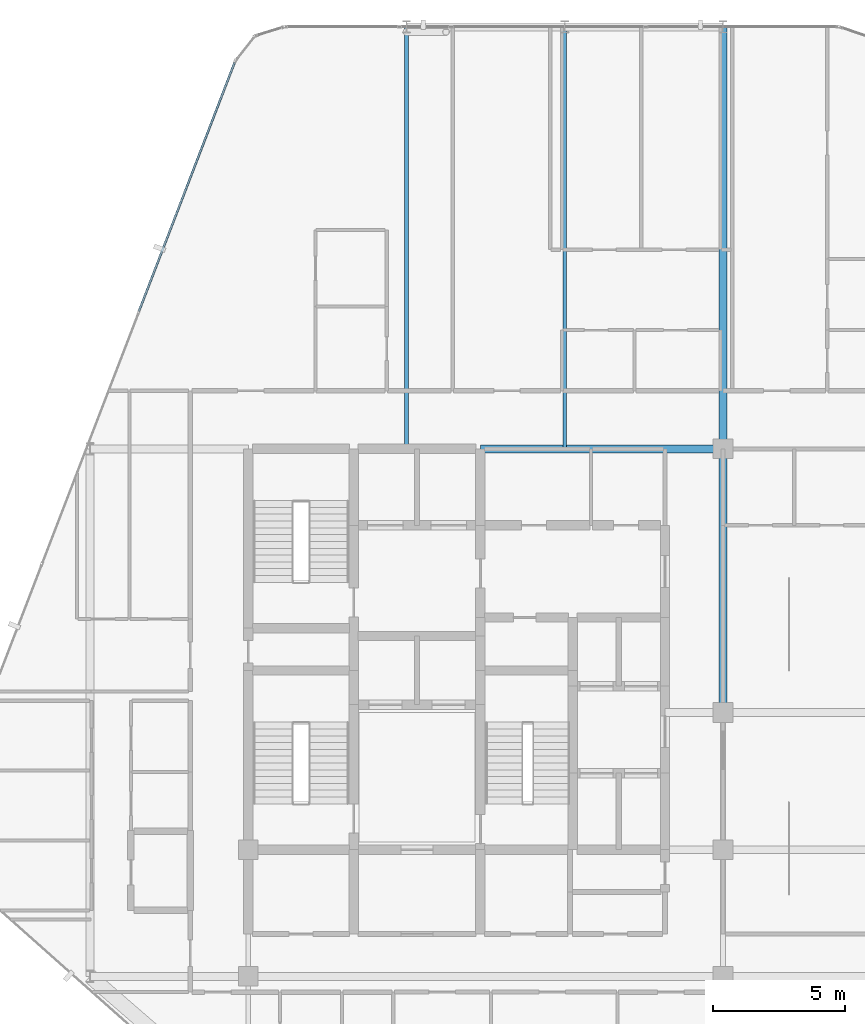
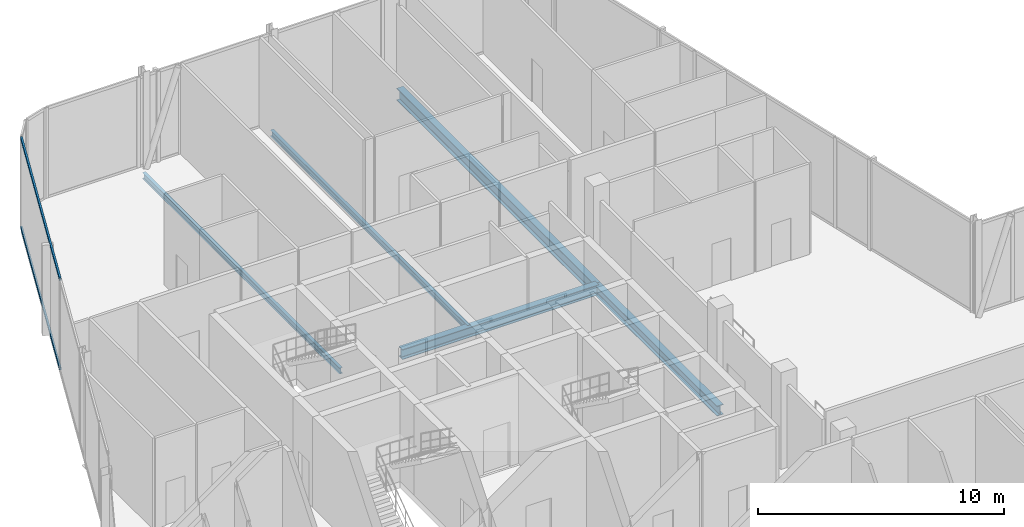
# One storey, part 17 of 29: 5 beams, 2 members, 1 element without a shape of its own.
"""IFC4 building model written with IfcOpenShell, lengths in metres."""

import ifcopenshell
import ifcopenshell.guid

model = None  # the IFC model being written
_history = None  # IfcOwnerHistory: only IFC2X3 demands one
_inside = {}  # id of a spatial element -> (the spatial element, [elements in it])
_under = {}  # id of a project, library or spatial element -> (it, [spatial elements below it])
_declared = {}  # id of a project -> (the project, [libraries it declares])
_typed = {}  # id of a type object -> (the type object, [elements of that type])
_made_of = {}  # id of a material, layer set ... -> (it, [elements and type objects made of it])


def new_model(schema):
    """Start an empty IFC model of exactly this schema.

    Asked for "IFC4X3", IfcOpenShell would pick the latest addendum, in which some entities
    have other attributes; the version numbers below select the first issue.
    IFC2X3 requires an IfcOwnerHistory on every rooted entity: one is made here for all.
    """
    global model, _history
    if schema == "IFC4X3":
        model = ifcopenshell.file(schema_version=(4, 3, 0, 0))
    else:
        model = ifcopenshell.file(schema=schema)
    _inside.clear()
    _under.clear()
    _declared.clear()
    _typed.clear()
    _made_of.clear()
    _history = None
    if model.schema == "IFC2X3":
        org = make("IfcOrganization", Name="unknown")
        user = make(
            "IfcPersonAndOrganization",
            ThePerson=make("IfcPerson", FamilyName="unknown"),
            TheOrganization=org,
        )
        app = make(
            "IfcApplication",
            ApplicationDeveloper=org,
            Version="unknown",
            ApplicationFullName="unknown",
            ApplicationIdentifier="unknown",
        )
        _history = make(
            "IfcOwnerHistory",
            OwningUser=user,
            OwningApplication=app,
            ChangeAction="ADDED",
            CreationDate=0,
        )
    return model


def make(cls, **values):
    """One entity of the class cls with the attributes given. An attribute that is None is left unset."""
    return model.create_entity(
        cls, **{name: value for name, value in values.items() if value is not None}
    )


def rooted(cls, **values):
    """An entity with a GlobalId (a new one), such as an element, a storey or a relation."""
    return make(cls, GlobalId=ifcopenshell.guid.new(), OwnerHistory=_history, **values)


def si_unit(unit_type, name, prefix=None):
    """IfcSIUnit, for example si_unit("LENGTHUNIT", "METRE", prefix="MILLI")."""
    return make("IfcSIUnit", UnitType=unit_type, Prefix=prefix, Name=name)


def assignment(units):
    """IfcUnitAssignment: the units of a project."""
    return None if units is None else make("IfcUnitAssignment", Units=units)


def point(xyz):
    """IfcCartesianPoint."""
    return None if xyz is None else make("IfcCartesianPoint", Coordinates=xyz)


def direction(xyz):
    """IfcDirection."""
    return None if xyz is None else make("IfcDirection", DirectionRatios=xyz)


def frame(location, z_axis=None, x_axis=None):
    """IfcAxis2Placement3D, a coordinate frame: its origin and axes. An axis left out is left unset."""
    return make(
        "IfcAxis2Placement3D",
        Location=point(location),
        Axis=direction(z_axis),
        RefDirection=direction(x_axis),
    )


def frame_2d(location, x_axis=None):
    """IfcAxis2Placement2D, a coordinate frame in the plane: its origin and x axis."""
    return make(
        "IfcAxis2Placement2D", Location=point(location), RefDirection=direction(x_axis)
    )


def origin():
    """The frame at (0, 0, 0) with its axes left unset."""
    return frame((0.0, 0.0, 0.0))


def origin_2d():
    """The frame at (0, 0) in the plane with its x axis left unset."""
    return frame_2d((0.0, 0.0))


def place(relative_to, where):
    """IfcLocalPlacement: puts the frame where relative to a parent placement (None: the world)."""
    return make(
        "IfcLocalPlacement", PlacementRelTo=relative_to, RelativePlacement=where
    )


def context(
    kind, dimensions, precision=None, world=None, true_north=None, identifier=None
):
    """IfcGeometricRepresentationContext, for example the 3D "Model" context."""
    return make(
        "IfcGeometricRepresentationContext",
        ContextIdentifier=identifier,
        ContextType=kind,
        CoordinateSpaceDimension=dimensions,
        Precision=precision,
        WorldCoordinateSystem=world,
        TrueNorth=true_north,
    )


def subcontext(parent, identifier, kind, view, scale=None):
    """IfcGeometricRepresentationSubContext, for example "Body" below "Model"."""
    return make(
        "IfcGeometricRepresentationSubContext",
        ContextIdentifier=identifier,
        ContextType=kind,
        ParentContext=parent,
        TargetScale=scale,
        TargetView=view,
    )


def project(units=None, contexts=None):
    """IfcProject with its units and contexts."""
    return rooted(
        "IfcProject",
        Name="project",
        RepresentationContexts=contexts,
        UnitsInContext=assignment(units),
    )


def spatial(cls, under=None, at=None, **own):
    """A site, building, storey or space (cls), placed at a placement, below another one or the project."""
    s = rooted(cls, ObjectPlacement=at, **own)
    if under is not None:
        _under.setdefault(under.id(), (under, []))[1].append(s)
    return s


def profile(cls, at=None, kind="AREA", **sizes):
    """A parametric profile (cls). Its sizes go by their IFC names, for example OverallWidth=200.0."""
    return make(cls, ProfileType=kind, Position=at, **sizes)


def hollow_rectangle(**sizes):
    """IfcRectangleHollowProfileDef."""
    return profile("IfcRectangleHollowProfileDef", **sizes)


def i_section(**sizes):
    """IfcIShapeProfileDef."""
    return profile("IfcIShapeProfileDef", **sizes)


def extrude(swept, where, along, depth):
    """IfcExtrudedAreaSolid: the profile swept, set in the frame where, extruded along a direction by depth."""
    return make(
        "IfcExtrudedAreaSolid",
        SweptArea=swept,
        Position=where,
        ExtrudedDirection=direction(along),
        Depth=depth,
    )


def shape(context_of_items, identifier, shape_type, items):
    """IfcShapeRepresentation: the items that make up one representation, for example the "Body"."""
    return make(
        "IfcShapeRepresentation",
        ContextOfItems=context_of_items,
        RepresentationIdentifier=identifier,
        RepresentationType=shape_type,
        Items=items,
    )


def material(Name=None, Category=None):
    """IfcMaterial."""
    return make("IfcMaterial", Name=Name, Category=Category)


def layer(
    of_material, thickness, ventilated=None, Name=None, Category=None, Priority=None
):
    """IfcMaterialLayer: one layer of a wall or slab, of a material (None: an air gap)."""
    return make(
        "IfcMaterialLayer",
        Material=of_material,
        LayerThickness=thickness,
        IsVentilated=ventilated,
        Name=Name,
        Category=Category,
        Priority=Priority,
    )


def layer_set(layers, Name=None):
    """IfcMaterialLayerSet."""
    return make("IfcMaterialLayerSet", MaterialLayers=layers, LayerSetName=Name)


def material_profile(
    of_material, cross_section, Name=None, Category=None, Priority=None
):
    """IfcMaterialProfile: a cross section and its material."""
    return make(
        "IfcMaterialProfile",
        Name=Name,
        Material=of_material,
        Profile=cross_section,
        Priority=Priority,
        Category=Category,
    )


def profile_set(profiles, Name=None, composite=None):
    """IfcMaterialProfileSet."""
    return make(
        "IfcMaterialProfileSet",
        Name=Name,
        MaterialProfiles=profiles,
        CompositeProfile=composite,
    )


def made_of(thing, what):
    """Note that an element or type object is made of a material, layer set ...; save() writes the relation."""
    if what is not None:
        _made_of.setdefault(what.id(), (what, []))[1].append(thing)
    return thing


def type_object(cls, material=None, **own):
    """A type object (cls), such as IfcWallType, which elements share."""
    return made_of(rooted(cls, **own), material)


def element(
    cls,
    number,
    at=None,
    inside=None,
    cuts=None,
    type_object=None,
    material=None,
    context=None,
    identifier="Body",
    shape_type=None,
    held_by="IfcProductDefinitionShape",
    body=None,
    shapes=None,
    **own,
):
    """One element of the class cls, such as IfcWall. Its Tag is "e" and its number.

    at: its placement. inside: the storey or other place that contains it. cuts: it is an
    opening in that element (IfcRelVoidsElement). A single representation is given by context,
    identifier, shape_type and body (its items); several are given by shapes. held_by: the class
    of the entity that holds the representations. save() writes the other relations.
    """
    e = rooted(cls, Tag="e%d" % number, ObjectPlacement=at, **own)
    if body is not None:
        shapes = [shape(context, identifier, shape_type, body)]
    if shapes is not None:
        e.Representation = make(held_by, Representations=shapes)
    if inside is not None:
        _inside.setdefault(inside.id(), (inside, []))[1].append(e)
    if cuts is not None:
        rooted(
            "IfcRelVoidsElement", RelatingBuildingElement=cuts, RelatedOpeningElement=e
        )
    if type_object is not None:
        _typed.setdefault(type_object.id(), (type_object, []))[1].append(e)
    return made_of(e, material)


def aggregate(whole, parts):
    """IfcRelAggregates: a whole, such as a stair, and the parts it consists of."""
    return rooted("IfcRelAggregates", RelatingObject=whole, RelatedObjects=parts)


def save(model, path):
    """Write the relations noted so far, then the file.

    IfcRelAggregates (storeys below a building ...), IfcRelContainedInSpatialStructure (elements
    in a storey), IfcRelDefinesByType, IfcRelAssociatesMaterial and IfcRelDeclares: one each for
    every whole, place, type object, material and project.
    """
    for whole, parts in _under.values():
        aggregate(whole, parts)
    for where, things in _inside.values():
        rooted(
            "IfcRelContainedInSpatialStructure",
            RelatedElements=things,
            RelatingStructure=where,
        )
    for kind, things in _typed.values():
        rooted("IfcRelDefinesByType", RelatedObjects=things, RelatingType=kind)
    for what, things in _made_of.values():
        rooted("IfcRelAssociatesMaterial", RelatedObjects=things, RelatingMaterial=what)
    for by, libraries in _declared.values():
        rooted("IfcRelDeclares", RelatingContext=by, RelatedDefinitions=libraries)
    model.write(path)


model = new_model("IFC4")

# Units and contexts
model_context = context("Model", 3, precision=1e-05, world=origin(), true_north=direction((0.0, 1.0)))
body_context = subcontext(model_context, "Body", "Model", "MODEL_VIEW")
ifc_project = project(units=[si_unit("LENGTHUNIT", "METRE"), si_unit("AREAUNIT", "SQUARE_METRE"), si_unit("VOLUMEUNIT", "CUBIC_METRE"), si_unit("PLANEANGLEUNIT", "RADIAN"), si_unit("MASSUNIT", "GRAM", prefix="KILO")], contexts=[model_context])

# Site, building, storey
site_placement = place(None, origin())
site = spatial("IfcSite", under=ifc_project, at=site_placement, CompositionType="ELEMENT")
building_placement = place(site_placement, origin())
building = spatial("IfcBuilding", under=site, at=building_placement, Name="Keshet Zoharim Tower", CompositionType="ELEMENT")
storey_placement = place(building_placement, frame((0.0, 0.0, 218.0)))
storey = spatial("IfcBuildingStorey", under=building, at=storey_placement, Name="L54", CompositionType="ELEMENT", Elevation=218.0)

# Beams
ifc_material_1 = material(Name="Steel S355", Category="steel")
ifc_material_profile_1 = material_profile(ifc_material_1, i_section(OverallWidth=0.14990234375, OverallDepth=0.300048828125, WebThickness=0.007080078125, FlangeThickness=0.0107421875, FilletRadius=0.014892578125, at=origin_2d()), Name="IPE300")
ifc_profile_set_1 = profile_set([ifc_material_profile_1], Name="Steel S355")
beam_type_1 = type_object("IfcBeamType", Name="BM-JST-IP300", PredefinedType="JOIST", material=ifc_profile_set_1)
for number, where, z_axis, x_axis, name in (
    (1, (21.0, 37.89990234375, -0.469970703125), (0.0, 1.0, 0.0), (-1.0, 0.0, 0.0), "L54 Secondary Floor Joist J-001"),
    (2, (27.0, 37.89990234375, -0.469970703125), (0.0, 1.0, 0.0), (-1.0, 0.0, 0.0), "L54 Secondary Floor Joist J-002"),
):
    element("IfcBeam", number, at=place(storey_placement, frame(where, z_axis=z_axis, x_axis=x_axis)), inside=storey, type_object=beam_type_1, Name=name, PredefinedType="JOIST", context=body_context, shape_type="SweptSolid", body=[
        extrude(i_section(OverallWidth=0.14990234375, OverallDepth=0.300048828125, WebThickness=0.007080078125, FlangeThickness=0.0107421875, FilletRadius=0.014892578125, at=origin_2d()), origin(), (0.0, 0.0, 1.0), 16.0),
    ])
ifc_material_profile_2 = material_profile(ifc_material_1, i_section(OverallWidth=0.300048828125, OverallDepth=0.60009765625, WebThickness=0.015380859375, FlangeThickness=0.030029296875, FilletRadius=0.027099609375, at=origin_2d()), Name="HEB600")
ifc_profile_set_2 = profile_set([ifc_material_profile_2], Name="Steel S355")
beam_type_2 = type_object("IfcBeamType", Name="BM-LNG-HB600", PredefinedType="BEAM", material=ifc_profile_set_2)
beam_1_placement = place(storey_placement, frame((33.0, 37.89990234375, -0.6201171875), z_axis=(0.0, 1.0, 0.0), x_axis=(-1.0, 0.0, 0.0)))
element("IfcBeam", 3, at=beam_1_placement, inside=storey, type_object=beam_type_2, Name="L54 Primary Girder Y-011", PredefinedType="BEAM", context=body_context, shape_type="SweptSolid", body=[
    extrude(i_section(OverallWidth=0.300048828125, OverallDepth=0.60009765625, WebThickness=0.015380859375, FlangeThickness=0.030029296875, FilletRadius=0.027099609375, at=origin_2d()), origin(), (0.0, 0.0, 1.0), 16.0),
])
ifc_material_profile_3 = material_profile(ifc_material_1, i_section(OverallWidth=0.300048828125, OverallDepth=0.5, WebThickness=0.014404296875, FlangeThickness=0.028076171875, FilletRadius=0.027099609375, at=origin_2d()), Name="HEB500")
ifc_profile_set_3 = profile_set([ifc_material_profile_3], Name="Steel S355")
beam_type_3 = type_object("IfcBeamType", Name="BM-MED-HB500", PredefinedType="BEAM", material=ifc_profile_set_3)
beam_2_placement = place(storey_placement, frame((23.800048828125, 37.89990234375, -0.570068359375), z_axis=(1.0, 0.0, 0.0), x_axis=(0.0, 1.0, 0.0)))
element("IfcBeam", 4, at=beam_2_placement, inside=storey, type_object=beam_type_3, Name="L54 Primary Girder X-018", PredefinedType="BEAM", context=body_context, shape_type="SweptSolid", body=[
    extrude(i_section(OverallWidth=0.300048828125, OverallDepth=0.5, WebThickness=0.014404296875, FlangeThickness=0.028076171875, FilletRadius=0.027099609375, at=origin_2d()), origin(), (0.0, 0.0, 1.0), 9.199951171875),
])
beam_3_placement = place(storey_placement, frame((33.0, 27.89990234375, -0.570068359375), z_axis=(0.0, 1.0, 0.0), x_axis=(-1.0, 0.0, 0.0)))
element("IfcBeam", 5, at=beam_3_placement, inside=storey, type_object=beam_type_3, Name="L54 Primary Girder Y-010", PredefinedType="BEAM", context=body_context, shape_type="SweptSolid", body=[
    extrude(i_section(OverallWidth=0.300048828125, OverallDepth=0.5, WebThickness=0.014404296875, FlangeThickness=0.028076171875, FilletRadius=0.027099609375, at=origin_2d()), origin(), (0.0, 0.0, 1.0), 10.0),
])

# Curtain wall, members
ifc_material_2 = material(Name="Aluminium 6063-T6", Category="aluminium")
ifc_layer = layer(ifc_material_2, 0.14990234375)
ifc_layer_set = layer_set([ifc_layer], Name="Aluminium 6063-T6")
curtain_wall_type = type_object("IfcCurtainWallType", Name="CW-SYS-04", PredefinedType="NOTDEFINED", material=ifc_layer_set)
curtain_wall_placement = place(storey_placement, origin())
curtain_wall = element("IfcCurtainWall", 6, at=curtain_wall_placement, inside=storey, type_object=curtain_wall_type, Name="L54 Unitised Curtain Wall 13", PredefinedType="NOTDEFINED")
ifc_material_profile_4 = material_profile(ifc_material_2, hollow_rectangle(XDim=0.080078125, YDim=0.139892578125, WallThickness=0.00390625, at=origin_2d()), Name="TRN-80x140")
ifc_profile_set_4 = profile_set([ifc_material_profile_4], Name="Aluminium 6063-T6")
member_type = type_object("IfcMemberType", Name="CWT-T14", PredefinedType="USERDEFINED", material=ifc_profile_set_4)
member_1_placement = place(storey_placement, frame((10.849609375, 43.10888671875, 0.034912109375), z_axis=(0.358985546764, 0.933343118694, 0.0), x_axis=(-0.933343118694, 0.358985546764, 0.0)))
member_1 = element("IfcMember", 7, at=member_1_placement, type_object=member_type, Name="CW-04 transom 3.1", ObjectType="TRANSOM", PredefinedType="USERDEFINED", context=body_context, shape_type="SweptSolid", body=[
    extrude(hollow_rectangle(XDim=0.080078125, YDim=0.139892578125, WallThickness=0.00390625, at=origin_2d()), origin(), (0.0, 0.0, 1.0), 10.118408203125),
])
member_2_placement = place(storey_placement, frame((10.849609375, 43.10888671875, 4.455078125), z_axis=(0.358985546764, 0.933343118694, 0.0), x_axis=(-0.933343118694, 0.358985546764, 0.0)))
member_2 = element("IfcMember", 8, at=member_2_placement, type_object=member_type, Name="CW-04 transom 3.2", ObjectType="TRANSOM", PredefinedType="USERDEFINED", context=body_context, shape_type="SweptSolid", body=[
    extrude(hollow_rectangle(XDim=0.080078125, YDim=0.139892578125, WallThickness=0.00390625, at=origin_2d()), origin(), (0.0, 0.0, 1.0), 10.118408203125),
])
aggregate(curtain_wall, [member_1, member_2])

save(model, "model.ifc")
